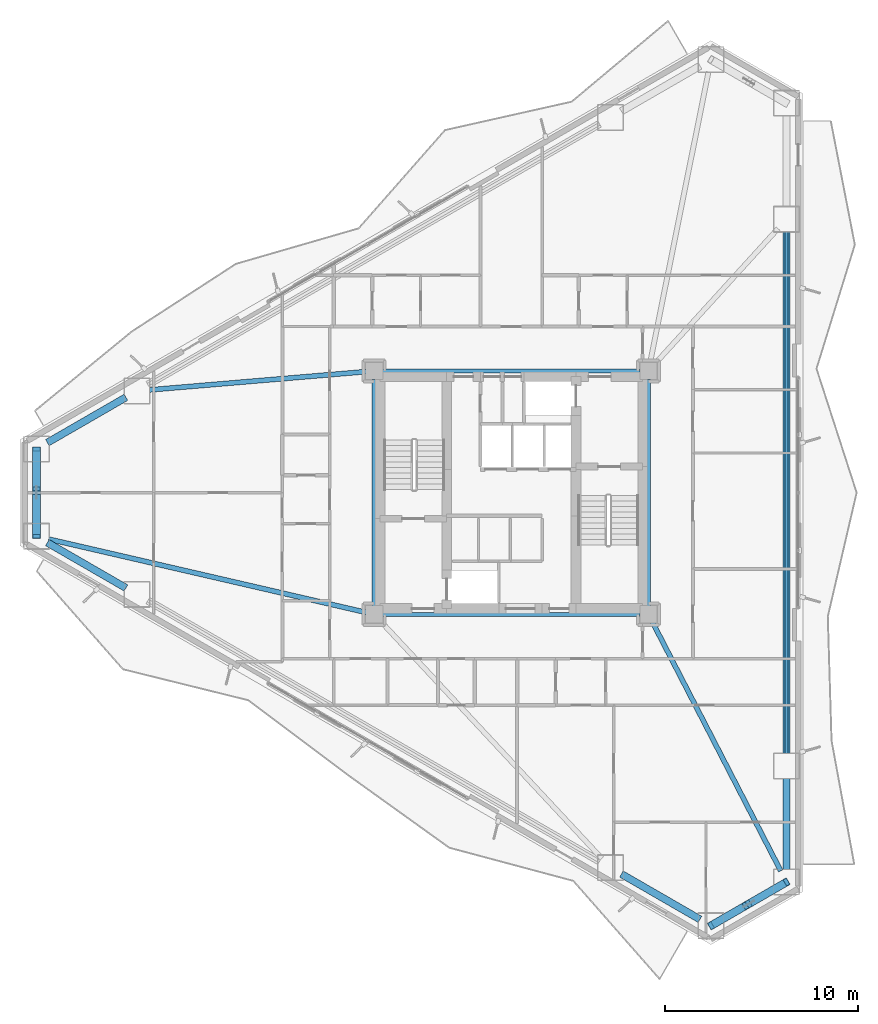
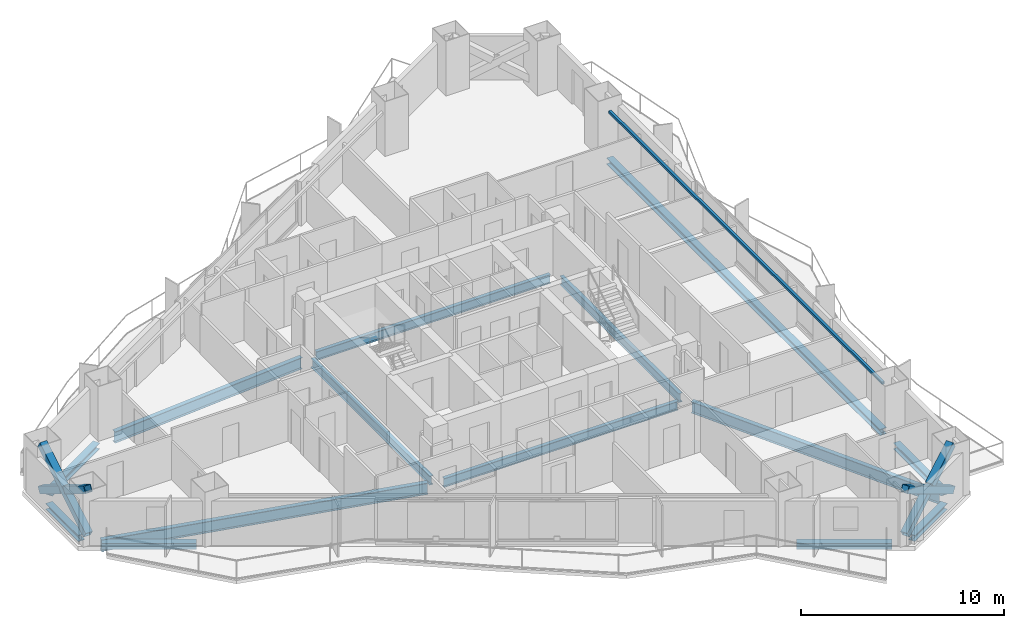
# One storey, part 5 of 19: 15 beams, 6 members.
"""IFC4 building model written with IfcOpenShell, lengths in metres."""

from ifc_helpers import new_model, si_unit, direction, frame, origin, origin_2d, place, context, subcontext, project, spatial, hollow_rectangle, i_section, extrude, material, material_profile, profile_set, type_object, element, save


model = new_model("IFC4")

# Units and contexts
model_context = context("Model", 3, precision=1e-05, world=origin(), true_north=direction((0.0, 1.0)))
body_context = subcontext(model_context, "Body", "Model", "MODEL_VIEW")
ifc_project = project(units=[si_unit("LENGTHUNIT", "METRE"), si_unit("AREAUNIT", "SQUARE_METRE"), si_unit("VOLUMEUNIT", "CUBIC_METRE"), si_unit("PLANEANGLEUNIT", "RADIAN"), si_unit("MASSUNIT", "GRAM", prefix="KILO")], contexts=[model_context])

# Site, building, storey
site_placement = place(None, origin())
site = spatial("IfcSite", under=ifc_project, at=site_placement, CompositionType="ELEMENT")
building_placement = place(site_placement, origin())
building = spatial("IfcBuilding", under=site, at=building_placement, Name="Mersakhor Tower and Convention Hall", CompositionType="ELEMENT")
storey_placement = place(building_placement, frame((0.0, 0.0, 48.89990234375)))
storey = spatial("IfcBuildingStorey", under=building, at=storey_placement, Name="L13", CompositionType="ELEMENT", Elevation=48.89990234375)

# Beams
ifc_material_1 = material(Name="Steel S355", Category="steel")
ifc_material_profile_1 = material_profile(ifc_material_1, i_section(OverallWidth=0.2099609375, OverallDepth=0.53662109375, WebThickness=0.0107421875, FlangeThickness=0.017333984375, at=origin_2d()), Name="UB 533x210x101")
ifc_profile_set_1 = profile_set([ifc_material_profile_1], Name="Steel S355")
beam_type_1 = type_object("IfcBeamType", Name="BM-FB-533", PredefinedType="BEAM", material=ifc_profile_set_1)
beam_1_placement = place(storey_placement, frame((21.89990234375, 20.8798828125, -0.5283203125), z_axis=(0.0, 1.0, 0.0), x_axis=(-1.0, 0.0, 0.0)))
element("IfcBeam", 1, at=beam_1_placement, inside=storey, type_object=beam_type_1, Name="L13 Core Ring Tie Beam CRB-1", PredefinedType="BEAM", context=body_context, shape_type="SweptSolid", body=[
    extrude(i_section(OverallWidth=0.2099609375, OverallDepth=0.53662109375, WebThickness=0.0107421875, FlangeThickness=0.017333984375, at=origin_2d()), origin(), (0.0, 0.0, 1.0), 11.740234375),
])
beam_2_placement = place(storey_placement, frame((22.330078125, 33.050048828125, -0.5283203125), z_axis=(1.0, 0.0, 0.0), x_axis=(0.0, 1.0, 0.0)))
element("IfcBeam", 2, at=beam_2_placement, inside=storey, type_object=beam_type_1, Name="L13 Core Ring Tie Beam CRB-2", PredefinedType="BEAM", context=body_context, shape_type="SweptSolid", body=[
    extrude(i_section(OverallWidth=0.2099609375, OverallDepth=0.53662109375, WebThickness=0.0107421875, FlangeThickness=0.017333984375, at=origin_2d()), origin(), (0.0, 0.0, 1.0), 13.33984375),
])
beam_3_placement = place(storey_placement, frame((36.10009765625, 32.6201171875, -0.5283203125), z_axis=(0.0, -1.0, 0.0), x_axis=(1.0, 0.0, 0.0)))
element("IfcBeam", 3, at=beam_3_placement, inside=storey, type_object=beam_type_1, Name="L13 Core Ring Tie Beam CRB-3", PredefinedType="BEAM", context=body_context, shape_type="SweptSolid", body=[
    extrude(i_section(OverallWidth=0.2099609375, OverallDepth=0.53662109375, WebThickness=0.0107421875, FlangeThickness=0.017333984375, at=origin_2d()), origin(), (0.0, 0.0, 1.0), 11.740234375),
])
beam_4_placement = place(storey_placement, frame((35.669921875, 20.449951171875, -0.5283203125), z_axis=(-1.0, 0.0, 0.0), x_axis=(0.0, -1.0, 0.0)))
element("IfcBeam", 4, at=beam_4_placement, inside=storey, type_object=beam_type_1, Name="L13 Core Ring Tie Beam CRB-4", PredefinedType="BEAM", context=body_context, shape_type="SweptSolid", body=[
    extrude(i_section(OverallWidth=0.2099609375, OverallDepth=0.53662109375, WebThickness=0.0107421875, FlangeThickness=0.017333984375, at=origin_2d()), origin(), (0.0, 0.0, 1.0), 13.33984375),
])
ifc_material_2 = material(Name="Steel S355", Category="steel")
ifc_material_profile_2 = material_profile(ifc_material_2, hollow_rectangle(XDim=0.14990234375, YDim=0.14990234375, WallThickness=0.010009765625, at=origin_2d()), Name="SHS 150x150x10")
ifc_profile_set_2 = profile_set([ifc_material_profile_2], Name="Steel S355")
beam_type_2 = type_object("IfcBeamType", Name="BM-GRT-SHS150", PredefinedType="USERDEFINED", material=ifc_profile_set_2)
beam_5_placement = place(storey_placement, frame((43.25, 40.24951171875, 2.47998046875), z_axis=(0.0, -1.0, 0.0), x_axis=(1.0, 0.0, 0.0)))
element("IfcBeam", 5, at=beam_5_placement, inside=storey, type_object=beam_type_2, Name="L13 Facade Support Girt GRT-F2", ObjectType="GIRT", PredefinedType="USERDEFINED", context=body_context, shape_type="SweptSolid", body=[
    extrude(hollow_rectangle(XDim=0.14990234375, YDim=0.14990234375, WallThickness=0.010009765625, at=origin_2d()), origin(), (0.0, 0.0, 1.0), 26.9990234375),
])
ifc_material_3 = material(Name="Steel S355", Category="steel")
ifc_material_profile_3 = material_profile(ifc_material_3, i_section(OverallWidth=0.25439453125, OverallDepth=0.6875, WebThickness=0.01318359375, FlangeThickness=0.02099609375, at=origin_2d()), Name="UB 686x254x152")
ifc_profile_set_3 = profile_set([ifc_material_profile_3], Name="Steel S355")
beam_type_3 = type_object("IfcBeamType", Name="BM-PR-686", PredefinedType="BEAM", material=ifc_profile_set_3)
beam_6_placement = place(storey_placement, frame((21.471435546875, 33.013916015625, -0.603515625), z_axis=(-0.996458345442, -0.084087845732, 0.0), x_axis=(0.084087845732, -0.996458345442, 0.0)))
element("IfcBeam", 6, at=beam_6_placement, inside=storey, type_object=beam_type_3, Name="L13 Primary Floor Girder FG-1", PredefinedType="BEAM", context=body_context, shape_type="SweptSolid", body=[
    extrude(i_section(OverallWidth=0.25439453125, OverallDepth=0.6875, WebThickness=0.01318359375, FlangeThickness=0.02099609375, at=origin_2d()), origin(), (0.0, 0.0, 1.0), 11.241943359375),
])
beam_7_placement = place(storey_placement, frame((36.297119140625, 20.06787109375, -0.603515625), z_axis=(0.458368239331, -0.888762373851, 0.0), x_axis=(0.888762373851, 0.458368239331, 0.0)))
element("IfcBeam", 7, at=beam_7_placement, inside=storey, type_object=beam_type_3, Name="L13 Primary Floor Girder FG-4", PredefinedType="BEAM", context=body_context, shape_type="SweptSolid", body=[
    extrude(i_section(OverallWidth=0.25439453125, OverallDepth=0.6875, WebThickness=0.01318359375, FlangeThickness=0.02099609375, at=origin_2d()), origin(), (0.0, 0.0, 1.0), 14.513671875),
])
beam_8_placement = place(storey_placement, frame((21.48095703125, 20.546875, -0.603515625), z_axis=(-0.974327224334, 0.225136536175, 0.0), x_axis=(-0.225136536175, -0.974327224334, 0.0)))
element("IfcBeam", 8, at=beam_8_placement, inside=storey, type_object=beam_type_3, Name="L13 Primary Floor Girder FG-6", PredefinedType="BEAM", context=body_context, shape_type="SweptSolid", body=[
    extrude(i_section(OverallWidth=0.25439453125, OverallDepth=0.6875, WebThickness=0.01318359375, FlangeThickness=0.02099609375, at=origin_2d()), origin(), (0.0, 0.0, 1.0), 16.862548828125),
])
ifc_material_4 = material(Name="Steel S355", Category="steel")
ifc_material_profile_4 = material_profile(ifc_material_4, i_section(OverallWidth=0.374755859375, OverallDepth=0.37451171875, WebThickness=0.0166015625, FlangeThickness=0.027099609375, at=origin_2d()), Name="UC 356x368x202")
ifc_profile_set_4 = profile_set([ifc_material_profile_4], Name="Steel S355")
beam_type_4 = type_object("IfcBeamType", Name="BM-SPD-UC356", PredefinedType="SPANDREL", material=ifc_profile_set_4)
beam_9_placement = place(storey_placement, frame((4.980224609375, 29.3369140625, -0.447265625), z_axis=(0.86605407247, 0.499950341091, 0.0), x_axis=(-0.499950341091, 0.86605407247, 0.0)))
element("IfcBeam", 9, at=beam_9_placement, inside=storey, type_object=beam_type_4, Name="L13 Perimeter Spandrel Beam SPB-01", PredefinedType="SPANDREL", context=body_context, shape_type="SweptSolid", body=[
    extrude(i_section(OverallWidth=0.374755859375, OverallDepth=0.37451171875, WebThickness=0.0166015625, FlangeThickness=0.027099609375, at=origin_2d()), origin(), (0.0, 0.0, 1.0), 4.69873046875),
])
beam_10_placement = place(storey_placement, frame((43.25, 40.24951171875, -0.447265625), z_axis=(0.0, -1.0, 0.0), x_axis=(1.0, 0.0, 0.0)))
element("IfcBeam", 10, at=beam_10_placement, inside=storey, type_object=beam_type_4, Name="L13 Perimeter Spandrel Beam SPB-06", PredefinedType="SPANDREL", context=body_context, shape_type="SweptSolid", body=[
    extrude(i_section(OverallWidth=0.374755859375, OverallDepth=0.37451171875, WebThickness=0.0166015625, FlangeThickness=0.027099609375, at=origin_2d()), origin(), (0.0, 0.0, 1.0), 26.9990234375),
])
beam_11_placement = place(storey_placement, frame((43.25, 11.9404296875, -0.447265625), z_axis=(0.0, -1.0, 0.0), x_axis=(1.0, 0.0, 0.0)))
element("IfcBeam", 11, at=beam_11_placement, inside=storey, type_object=beam_type_4, Name="L13 Perimeter Spandrel Beam SPB-07", PredefinedType="SPANDREL", context=body_context, shape_type="SweptSolid", body=[
    extrude(i_section(OverallWidth=0.374755859375, OverallDepth=0.37451171875, WebThickness=0.0166015625, FlangeThickness=0.027099609375, at=origin_2d()), origin(), (0.0, 0.0, 1.0), 4.69873046875),
])
beam_12_placement = place(storey_placement, frame((42.682861328125, 6.25927734375, -0.447265625), z_axis=(-0.866038607556, -0.4999771297, 0.0), x_axis=(0.4999771297, -0.866038607556, 0.0)))
element("IfcBeam", 12, at=beam_12_placement, inside=storey, type_object=beam_type_4, Name="L13 Perimeter Spandrel Beam SPB-08", PredefinedType="SPANDREL", context=body_context, shape_type="SweptSolid", body=[
    extrude(i_section(OverallWidth=0.374755859375, OverallDepth=0.37451171875, WebThickness=0.0166015625, FlangeThickness=0.027099609375, at=origin_2d()), origin(), (0.0, 0.0, 1.0), 3.208740234375),
])
for number, where, z_axis, x_axis, name in (
    (13, (38.769775390625, 4.655029296875, -0.447265625), (-0.866031574723, 0.499989311469, 0.0), (-0.499989311469, -0.866031574723, 0.0), "L13 Perimeter Spandrel Beam SPB-09"),
    (14, (9.049560546875, 21.81396484375, -0.447265625), (-0.86605407247, 0.499950341091, 0.0), (-0.499950341091, -0.86605407247, 0.0), "L13 Perimeter Spandrel Beam SPB-11"),
):
    element("IfcBeam", number, at=place(storey_placement, frame(where, z_axis=z_axis, x_axis=x_axis)), inside=storey, type_object=beam_type_4, Name=name, PredefinedType="SPANDREL", context=body_context, shape_type="SweptSolid", body=[
        extrude(i_section(OverallWidth=0.374755859375, OverallDepth=0.37451171875, WebThickness=0.0166015625, FlangeThickness=0.027099609375, at=origin_2d()), origin(), (0.0, 0.0, 1.0), 4.69873046875),
    ])
beam_13_placement = place(storey_placement, frame((4.4130859375, 25.145751953125, -0.447265625), z_axis=(0.0, 1.0, 0.0), x_axis=(-1.0, 0.0, 0.0)))
element("IfcBeam", 15, at=beam_13_placement, inside=storey, type_object=beam_type_4, Name="L13 Perimeter Spandrel Beam SPB-12", PredefinedType="SPANDREL", context=body_context, shape_type="SweptSolid", body=[
    extrude(i_section(OverallWidth=0.374755859375, OverallDepth=0.37451171875, WebThickness=0.0166015625, FlangeThickness=0.027099609375, at=origin_2d()), origin(), (0.0, 0.0, 1.0), 3.20849609375),
])

# Members
ifc_material_5 = material(Name="Steel S460", Category="steel")
ifc_material_profile_5 = material_profile(ifc_material_5, hollow_rectangle(XDim=0.39990234375, YDim=0.39990234375, WallThickness=0.02490234375, at=origin_2d()), Name="SHS 400x400x25")
ifc_profile_set_5 = profile_set([ifc_material_profile_5], Name="Steel S460")
member_type = type_object("IfcMemberType", Name="MB-BRC-SHS400", PredefinedType="BRACE", material=ifc_profile_set_5)
member_1_placement = place(storey_placement, frame((43.25, 6.586669921875, 0.150146484375), z_axis=(-0.740507772322, -0.427542982597, 0.518512523632), x_axis=(0.500009315796, -0.86602002524, 0.0)))
element("IfcMember", 16, at=member_1_placement, inside=storey, type_object=member_type, Name="L13 Chamfer Braced Frame Diagonal CB-2A", PredefinedType="BRACE", context=body_context, shape_type="SweptSolid", body=[
    extrude(hollow_rectangle(XDim=0.39990234375, YDim=0.39990234375, WallThickness=0.02490234375, at=origin_2d()), origin(), (0.0, 0.0, 1.0), 5.284423828125),
])
for number, where, z_axis, x_axis, name in (
    (17, (39.3369140625, 4.327392578125, 0.150146484375), (0.740512106644, 0.427623949895, 0.518439560017), (-0.500078132948, 0.865980289006, 0.0), "L13 Chamfer Braced Frame Diagonal CB-2B Lower Half"),
    (18, (41.46630859375, 5.556884765625, 1.64111328125), (0.740505282886, 0.427518653602, 0.518536138413), (-0.499989236795, 0.866031617834, 0.0), "L13 Chamfer Braced Frame Diagonal CB-2B Upper Half"),
):
    element("IfcMember", number, at=place(storey_placement, frame(where, z_axis=z_axis, x_axis=x_axis)), inside=storey, type_object=member_type, Name=name, PredefinedType="BRACE", context=body_context, shape_type="SweptSolid", body=[
        extrude(hollow_rectangle(XDim=0.39990234375, YDim=0.39990234375, WallThickness=0.02490234375, at=origin_2d()), origin(), (0.0, 0.0, 1.0), 2.40869140625),
    ])
member_2_placement = place(storey_placement, frame((4.4130859375, 24.49072265625, 0.150146484375), z_axis=(0.0, 0.855074317009, 0.51850546033), x_axis=(-1.0, 0.0, 0.0)))
element("IfcMember", 19, at=member_2_placement, inside=storey, type_object=member_type, Name="L13 Chamfer Braced Frame Diagonal CB-3A", PredefinedType="BRACE", context=body_context, shape_type="SweptSolid", body=[
    extrude(hollow_rectangle(XDim=0.39990234375, YDim=0.39990234375, WallThickness=0.02490234375, at=origin_2d()), origin(), (0.0, 0.0, 1.0), 5.284423828125),
])
for number, where, z_axis, x_axis, name in (
    (20, (4.4130859375, 29.00927734375, 0.150146484375), (0.0, -0.855095703444, 0.518470190032), (1.0, 0.0, 0.0), "L13 Chamfer Braced Frame Diagonal CB-3B Lower Half"),
    (21, (4.4130859375, 26.55029296875, 1.64111328125), (0.0, -0.855050764291, 0.518544299444), (1.0, 0.0, 0.0), "L13 Chamfer Braced Frame Diagonal CB-3B Upper Half"),
):
    element("IfcMember", number, at=place(storey_placement, frame(where, z_axis=z_axis, x_axis=x_axis)), inside=storey, type_object=member_type, Name=name, PredefinedType="BRACE", context=body_context, shape_type="SweptSolid", body=[
        extrude(hollow_rectangle(XDim=0.39990234375, YDim=0.39990234375, WallThickness=0.02490234375, at=origin_2d()), origin(), (0.0, 0.0, 1.0), 2.40869140625),
    ])

save(model, "model.ifc")
